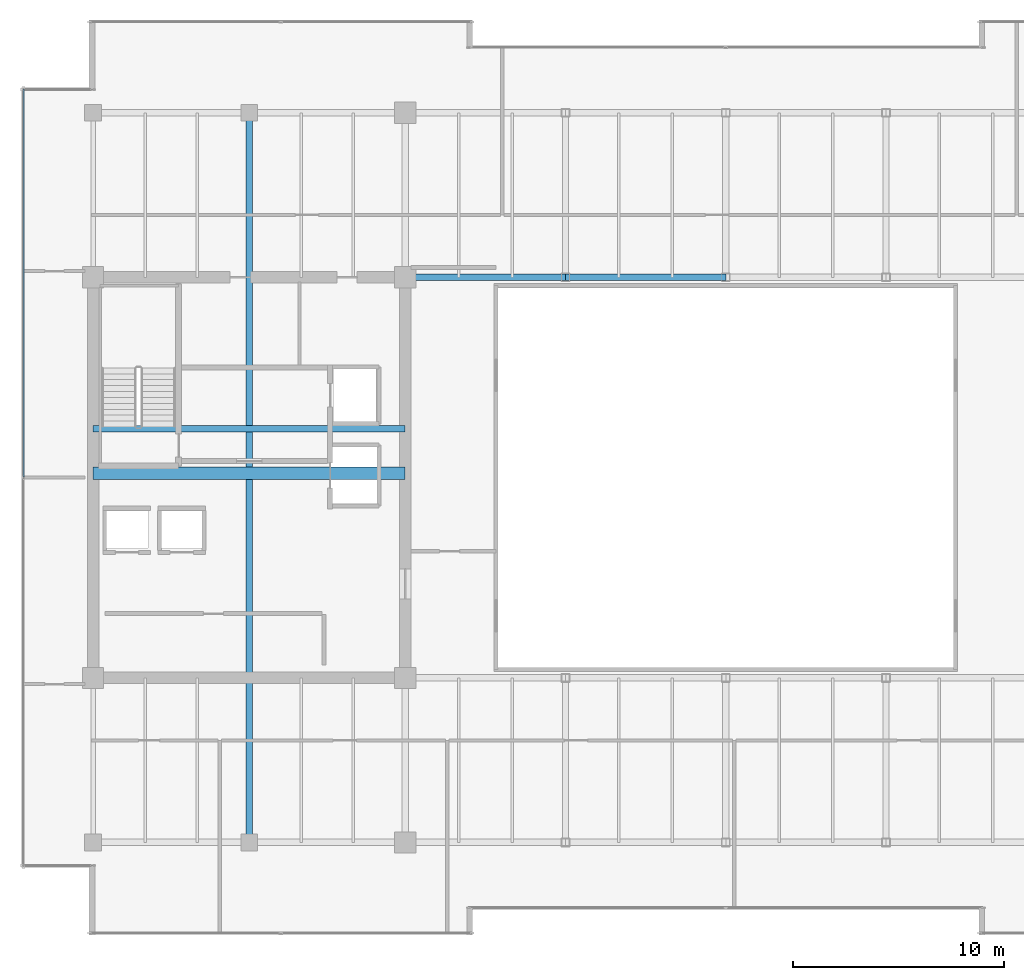
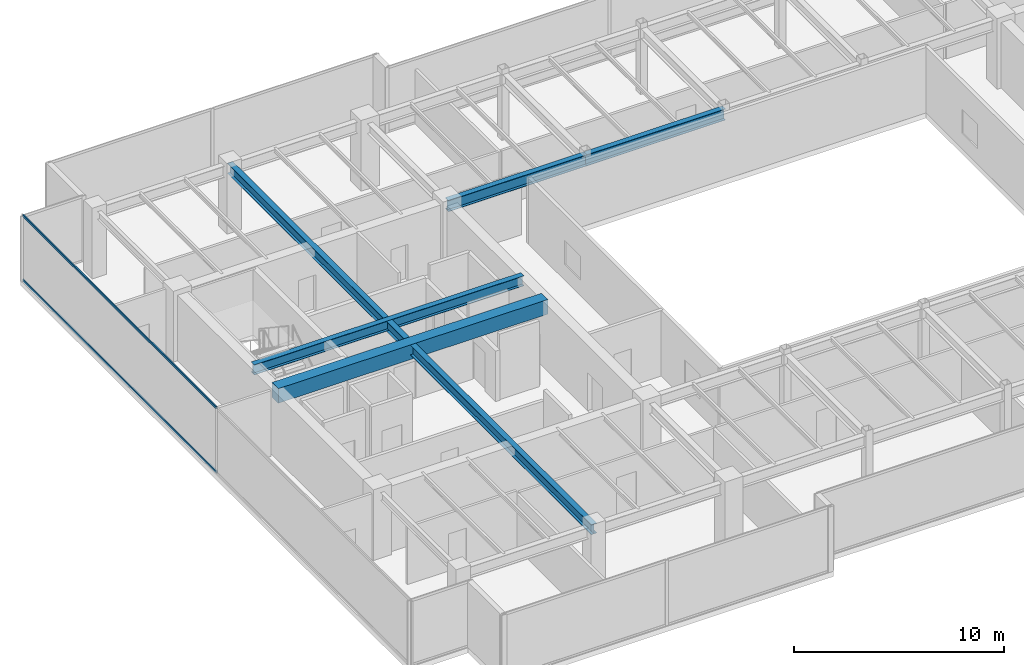
# One storey, part 10 of 33: 5 beams, 2 members, 1 element without a shape of its own.
"""IFC4 building model written with IfcOpenShell, lengths in metres."""

from ifc_helpers import new_model, si_unit, direction, frame, origin, origin_2d, place, context, subcontext, project, spatial, rectangle, hollow_rectangle, i_section, extrude, source, transform, mapped, material, layer, layer_set, material_profile, profile_set, type_object, type_shapes, element, aggregate, save


model = new_model("IFC4")

# Units and contexts
model_context = context("Model", 3, precision=1e-05, world=origin(), true_north=direction((0.0, 1.0)))
body_context = subcontext(model_context, "Body", "Model", "MODEL_VIEW")
ifc_project = project(units=[si_unit("LENGTHUNIT", "METRE"), si_unit("AREAUNIT", "SQUARE_METRE"), si_unit("VOLUMEUNIT", "CUBIC_METRE"), si_unit("PLANEANGLEUNIT", "RADIAN"), si_unit("MASSUNIT", "GRAM", prefix="KILO")], contexts=[model_context])

# Site, building, storey
site_placement = place(None, origin())
site = spatial("IfcSite", under=ifc_project, at=site_placement, CompositionType="ELEMENT")
building_placement = place(site_placement, origin())
building = spatial("IfcBuilding", under=site, at=building_placement, Name="Haelvirn Gate Laboratories", CompositionType="ELEMENT")
storey_placement = place(building_placement, frame((0.0, 0.0, 267.0)))
storey = spatial("IfcBuildingStorey", under=building, at=storey_placement, Name="L64", CompositionType="ELEMENT", Elevation=267.0)

# Beams
ifc_material_1 = material(Name="Steel SM355", Category="steel")
ifc_material_profile_1 = material_profile(ifc_material_1, i_section(OverallWidth=0.300048828125, OverallDepth=0.587890625, WebThickness=0.011962890625, FlangeThickness=0.02001953125, at=origin_2d()), Name="H-588x300x12x20")
ifc_profile_set_1 = profile_set([ifc_material_profile_1], Name="Steel SM355")
beam_type_1 = type_object("IfcBeamType", Name="BM-G-588", PredefinedType="BEAM", material=ifc_profile_set_1)
shared_shape_1 = source(origin(), body_context, "Body", "SweptSolid", [
    extrude(i_section(OverallWidth=0.300048828125, OverallDepth=0.587890625, WebThickness=0.011962890625, FlangeThickness=0.02001953125, at=origin_2d()), origin(), (0.0, 0.0, 1.0), 14.800048828125),
])
beam_1_placement = place(storey_placement, frame((7.39990234375, 26.6201171875, 3.506103515625), z_axis=(1.0, 0.0, 0.0), x_axis=(0.0, 1.0, 0.0)))
element("IfcBeam", 1, at=beam_1_placement, inside=storey, type_object=beam_type_1, Name="L64 Stair ST1 Landing Header", PredefinedType="BEAM", context=body_context, shape_type="MappedRepresentation", body=[
    mapped(shared_shape_1, transform((0.0, 0.0, 0.0), scale=1.0)),
])
shared_shape_2 = source(origin(), body_context, "Body", "SweptSolid", [
    extrude(i_section(OverallWidth=0.300048828125, OverallDepth=0.587890625, WebThickness=0.011962890625, FlangeThickness=0.02001953125, at=origin_2d()), origin(), (0.0, 0.0, 1.0), 34.60009765625),
])
type_shapes(beam_type_1, [shared_shape_1, shared_shape_2])
beam_2_placement = place(storey_placement, frame((14.800048828125, 7.0, 3.506103515625), z_axis=(0.0, 1.0, 0.0), x_axis=(-1.0, 0.0, 0.0)))
element("IfcBeam", 2, at=beam_2_placement, inside=storey, type_object=beam_type_1, Name="L64 Frame Girder X14.8 (7.0-41.6)", PredefinedType="BEAM", context=body_context, shape_type="MappedRepresentation", body=[
    mapped(shared_shape_2, transform((0.0, 0.0, 0.0), scale=1.0)),
])
ifc_material_2 = material(Name="Concrete C50/60", Category="concrete")
ifc_material_profile_2 = material_profile(ifc_material_2, rectangle(XDim=0.60009765625, YDim=0.85009765625, at=origin_2d()), Name="RCB-600x850")
ifc_profile_set_2 = profile_set([ifc_material_profile_2], Name="Concrete C50/60")
beam_type_2 = type_object("IfcBeamType", Name="BM-RCB-850", PredefinedType="LINTEL", material=ifc_profile_set_2)
shared_shape_3 = source(origin(), body_context, "Body", "SweptSolid", [
    extrude(rectangle(XDim=0.60009765625, YDim=0.85009765625, at=origin_2d()), origin(), (0.0, 0.0, 1.0), 14.800048828125),
])
type_shapes(beam_type_2, [shared_shape_3])
beam_3_placement = place(storey_placement, frame((7.39990234375, 24.5, 3.375), z_axis=(1.0, 0.0, 0.0), x_axis=(0.0, 1.0, 0.0)))
element("IfcBeam", 3, at=beam_3_placement, inside=storey, type_object=beam_type_2, Name="L64 West Core Coupling Beam", PredefinedType="LINTEL", context=body_context, shape_type="MappedRepresentation", body=[
    mapped(shared_shape_3, transform((0.0, 0.0, 0.0), scale=1.0)),
])
ifc_material_profile_3 = material_profile(ifc_material_1, i_section(OverallWidth=0.300048828125, OverallDepth=0.64990234375, WebThickness=0.012939453125, FlangeThickness=0.02197265625, at=origin_2d()), Name="H-650x300x13x22")
ifc_profile_set_3 = profile_set([ifc_material_profile_3], Name="Steel SM355")
beam_type_3 = type_object("IfcBeamType", Name="BM-G-650", PredefinedType="BEAM", material=ifc_profile_set_3)
shared_shape_4 = source(origin(), body_context, "Body", "SweptSolid", [
    extrude(i_section(OverallWidth=0.300048828125, OverallDepth=0.64990234375, WebThickness=0.012939453125, FlangeThickness=0.02197265625, at=origin_2d()), origin(), (0.0, 0.0, 1.0), 7.60009765625),
])
beam_4_placement = place(storey_placement, frame((22.199951171875, 33.800048828125, 3.47509765625), z_axis=(1.0, 0.0, 0.0), x_axis=(0.0, 1.0, 0.0)))
element("IfcBeam", 4, at=beam_4_placement, inside=storey, type_object=beam_type_3, Name="L64 Primary Girder Y33.8 (22.2-29.8)", PredefinedType="BEAM", context=body_context, shape_type="MappedRepresentation", body=[
    mapped(shared_shape_4, transform((0.0, 0.0, 0.0), scale=1.0)),
])
shared_shape_5 = source(origin(), body_context, "Body", "SweptSolid", [
    extrude(i_section(OverallWidth=0.300048828125, OverallDepth=0.64990234375, WebThickness=0.012939453125, FlangeThickness=0.02197265625, at=origin_2d()), origin(), (0.0, 0.0, 1.0), 7.599853515625),
])
type_shapes(beam_type_3, [shared_shape_4, shared_shape_5])
beam_5_placement = place(storey_placement, frame((29.800048828125, 33.800048828125, 3.47509765625), z_axis=(1.0, 0.0, 0.0), x_axis=(0.0, 1.0, 0.0)))
element("IfcBeam", 5, at=beam_5_placement, inside=storey, type_object=beam_type_3, Name="L64 Primary Girder Y33.8 (29.8-37.4)", PredefinedType="BEAM", context=body_context, shape_type="MappedRepresentation", body=[
    mapped(shared_shape_5, transform((0.0, 0.0, 0.0), scale=1.0)),
])

# Curtain wall, members
ifc_material_3 = material(Name="Anodised bronze unitised aluminium & triple low-E glass", Category="aluminium")
ifc_layer = layer(ifc_material_3, 0.176025390625, Name="CW-SYS-4")
ifc_layer_set = layer_set([ifc_layer], Name="Anodised bronze unitised aluminium & triple low-E glass")
curtain_wall_type = type_object("IfcCurtainWallType", Name="CW-SYS-4", PredefinedType="NOTDEFINED", material=ifc_layer_set)
curtain_wall_placement = place(storey_placement, origin())
curtain_wall = element("IfcCurtainWall", 6, at=curtain_wall_placement, inside=storey, type_object=curtain_wall_type, Name="L64 Unitised Curtain Wall CW-L64-P0-E17", PredefinedType="NOTDEFINED")
ifc_material_4 = material(Name="Extruded aluminium 6063-T6 (anodised bronze)", Category="aluminium")
ifc_material_profile_4 = material_profile(ifc_material_4, hollow_rectangle(XDim=0.06494140625, YDim=0.139892578125, WallThickness=0.00390625, at=origin_2d()), Name="CWT-140x65x4")
ifc_profile_set_4 = profile_set([ifc_material_profile_4], Name="Extruded aluminium 6063-T6 (anodised bronze)")
member_type = type_object("IfcMemberType", Name="CWT-T140", PredefinedType="USERDEFINED", material=ifc_profile_set_4)
shared_shape_6 = source(origin(), body_context, "Body", "SweptSolid", [
    extrude(hollow_rectangle(XDim=0.06494140625, YDim=0.139892578125, WallThickness=0.00390625, at=origin_2d()), origin(), (0.0, 0.0, 1.0), 18.39501953125),
])
type_shapes(member_type, [shared_shape_6])
member_1_placement = place(storey_placement, frame((4.10009765625, 42.72998046875, 0.032470703125), z_axis=(0.0, -1.0, 0.0), x_axis=(1.0, 0.0, 0.0)))
member_1 = element("IfcMember", 7, at=member_1_placement, type_object=member_type, Name="CW4 transom 1.1", ObjectType="TRANSOM", PredefinedType="USERDEFINED", context=body_context, shape_type="MappedRepresentation", body=[
    mapped(shared_shape_6, transform((0.0, 0.0, 0.0), scale=1.0)),
])
member_2_placement = place(storey_placement, frame((4.10009765625, 42.72998046875, 3.767578125), z_axis=(0.0, -1.0, 0.0), x_axis=(1.0, 0.0, 0.0)))
member_2 = element("IfcMember", 8, at=member_2_placement, type_object=member_type, Name="CW4 transom 1.2", ObjectType="TRANSOM", PredefinedType="USERDEFINED", context=body_context, shape_type="MappedRepresentation", body=[
    mapped(shared_shape_6, transform((0.0, 0.0, 0.0), scale=1.0)),
])
aggregate(curtain_wall, [member_1, member_2])

save(model, "model.ifc")
